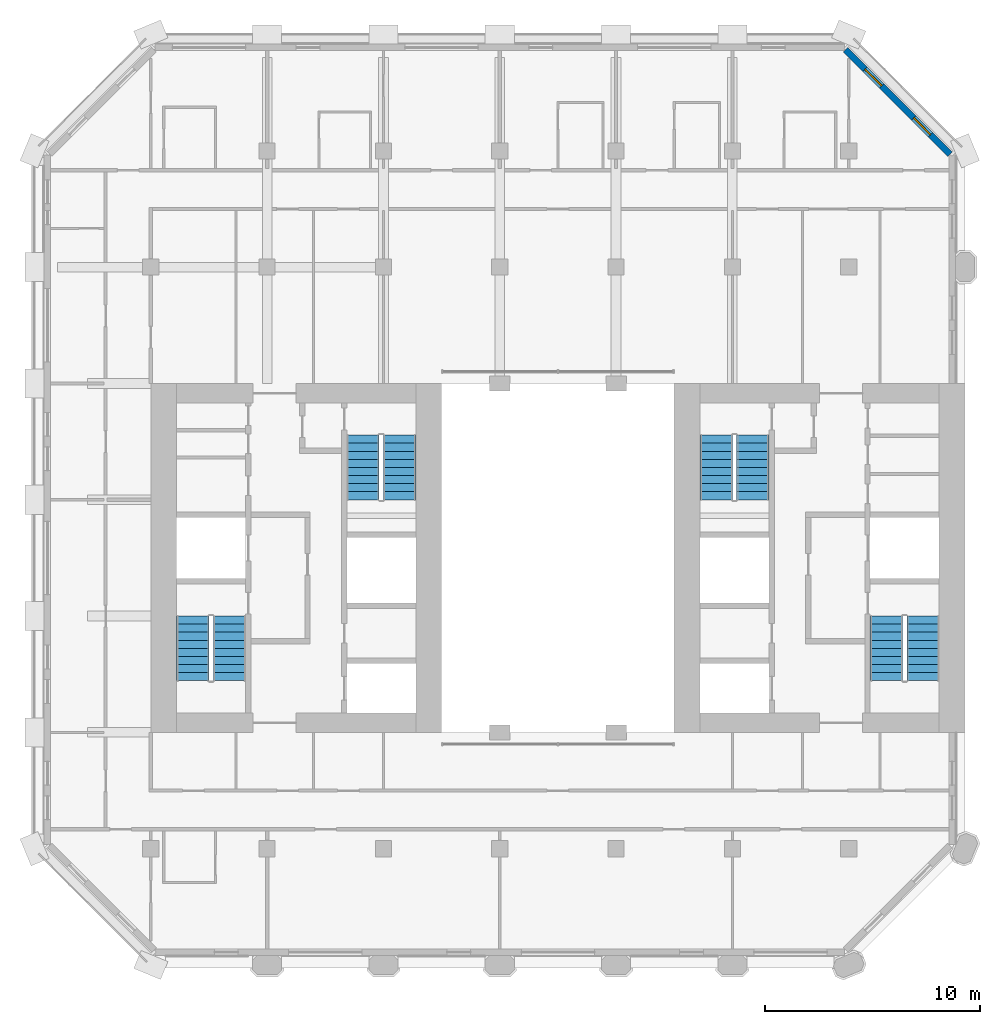
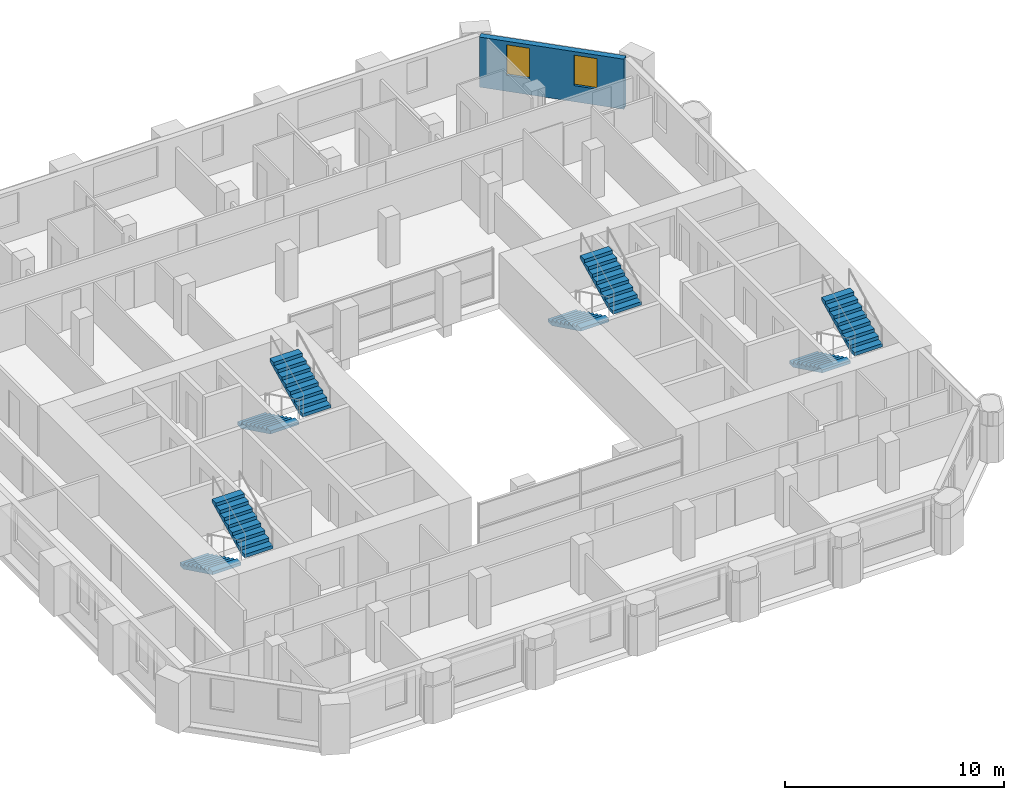
# One storey, part 11 of 14: 8 stair flights, 2 windows, 1 wall, 2 openings, 4 elements without a shape of their own.
"""IFC4 building model written with IfcOpenShell, lengths in metres."""

from ifc_helpers import new_model, si_unit, direction, frame, frame_2d, origin, place, context, subcontext, project, spatial, polyline, rectangle, outline, extrude, material, layer, layer_set, type_object, element, fill, aggregate, save


model = new_model("IFC4")

# Units and contexts
model_context = context("Model", 3, precision=1e-05, world=origin(), true_north=direction((0.0, 1.0)))
body_context = subcontext(model_context, "Body", "Model", "MODEL_VIEW")
ifc_project = project(units=[si_unit("LENGTHUNIT", "METRE"), si_unit("AREAUNIT", "SQUARE_METRE"), si_unit("VOLUMEUNIT", "CUBIC_METRE"), si_unit("PLANEANGLEUNIT", "RADIAN"), si_unit("MASSUNIT", "GRAM", prefix="KILO")], contexts=[model_context])

# Site, building, storey
site_placement = place(None, origin())
site = spatial("IfcSite", under=ifc_project, at=site_placement, CompositionType="ELEMENT")
building_placement = place(site_placement, origin())
building = spatial("IfcBuilding", under=site, at=building_placement, Name="Tabaq Tower and Sports Hall", CompositionType="ELEMENT")
storey_placement = place(building_placement, frame((0.0, 0.0, 230.199951171875)))
storey = spatial("IfcBuildingStorey", under=building, at=storey_placement, Name="L58", CompositionType="ELEMENT", Elevation=230.199951171875)

# Wall, openings, windows
ifc_material_1 = material(Name="White precast concrete C60/75", Category="concrete")
ifc_layer = layer(ifc_material_1, 0.300048828125)
ifc_layer_set = layer_set([ifc_layer], Name="White precast concrete C60/75 external wall 300")
wall_type = type_object("IfcWallType", Name="White precast concrete C60/75 external wall 300", PredefinedType="SOLIDWALL", material=ifc_layer_set)
wall_placement = place(storey_placement, frame((42.5009765625, 43.050537109375, 0.0), z_axis=(0.0, 0.0, 1.0), x_axis=(-0.707106781187, 0.707106781187, 0.0)))
wall = element("IfcWall", 1, at=wall_placement, inside=storey, type_object=wall_type, Name="External Wall L58 NE", PredefinedType="SOLIDWALL", context=body_context, shape_type="SweptSolid", body=[
    extrude(rectangle(XDim=6.85986328125, YDim=0.300048828125, at=frame_2d((3.429931640625, 0.0))), origin(), (0.0, 0.0, 1.0), 2.800048828125),
])
opening_1_placement = place(wall_placement, frame((1.27978515625, 0.0, 0.89990234375)))
opening_1 = element("IfcOpeningElement", 2, at=opening_1_placement, cuts=wall, Name="Opening W1B", PredefinedType="OPENING", context=body_context, shape_type="SweptSolid", body=[
    extrude(rectangle(XDim=1.10009765625, YDim=1.699951171875, at=frame_2d((0.550048828125, 0.85009765625))), frame((0.0, 0.16015625, 0.0), z_axis=(0.0, -1.0, 0.0), x_axis=(1.0, 0.0, 0.0)), (0.0, 0.0, 1.0), 0.320068359375),
])
opening_2_placement = place(wall_placement, frame((4.479736328125, 0.0, 0.89990234375)))
opening_2 = element("IfcOpeningElement", 3, at=opening_2_placement, cuts=wall, Name="Opening W1B", PredefinedType="OPENING", context=body_context, shape_type="SweptSolid", body=[
    extrude(rectangle(XDim=1.10009765625, YDim=1.699951171875, at=frame_2d((0.550048828125, 0.85009765625))), frame((0.0, 0.16015625, 0.0), z_axis=(0.0, -1.0, 0.0), x_axis=(1.0, 0.0, 0.0)), (0.0, 0.0, 1.0), 0.320068359375),
])
ifc_material_2 = material(Name="Aluminium framed clear glazing", Category="aluminium")
window_type = type_object("IfcWindowType", Name="Window W1B", PartitioningType="SINGLE_PANEL", PredefinedType="WINDOW", material=ifc_material_2)
window_1_placement = place(opening_1_placement, origin())
window_1 = element("IfcWindow", 4, at=window_1_placement, inside=storey, type_object=window_type, Name="Window W1B L58", OverallHeight=1.699951171875, OverallWidth=1.10009765625, PartitioningType="SINGLE_PANEL", PredefinedType="WINDOW", context=body_context, shape_type="SweptSolid", body=[
    extrude(rectangle(XDim=1.10009765625, YDim=1.699951171875, at=frame_2d((0.550048828125, 0.85009765625))), frame((0.0, 0.030029296875, 0.0), z_axis=(0.0, -1.0, 0.0), x_axis=(1.0, 0.0, 0.0)), (0.0, 0.0, 1.0), 0.06005859375),
])
fill(opening_1, window_1)
window_2_placement = place(opening_2_placement, origin())
window_2 = element("IfcWindow", 5, at=window_2_placement, inside=storey, type_object=window_type, Name="Window W1B L58", OverallHeight=1.699951171875, OverallWidth=1.10009765625, PartitioningType="SINGLE_PANEL", PredefinedType="WINDOW", context=body_context, shape_type="SweptSolid", body=[
    extrude(rectangle(XDim=1.10009765625, YDim=1.699951171875, at=frame_2d((0.550048828125, 0.85009765625))), frame((0.0, 0.030029296875, 0.0), z_axis=(0.0, -1.0, 0.0), x_axis=(1.0, 0.0, 0.0)), (0.0, 0.0, 1.0), 0.06005859375),
])
fill(opening_2, window_2)

# Stair, stair flights
ifc_material_3 = material(Name="Concrete C40/50", Category="concrete")
stair_type = type_object("IfcStairType", Name="Exit stair", PredefinedType="HALF_TURN_STAIR", material=ifc_material_3)
stair_1_placement = place(storey_placement, origin())
stair_1 = element("IfcStair", 6, at=stair_1_placement, inside=storey, type_object=stair_type, Name="L58 Exit stair ST1", PredefinedType="HALF_TURN_STAIR")
ifc_material_4 = material(Name="Concrete C40/50", Category="concrete")
stair_flight_type = type_object("IfcStairFlightType", Name="Exit stair flight", PredefinedType="STRAIGHT", material=ifc_material_4)
stair_flight_1_placement = place(storey_placement, frame((7.35009765625, 21.60009765625, 0.0), z_axis=(0.0, 0.0, 1.0), x_axis=(0.0, -1.0, 0.0)))
stair_flight_1 = element("IfcStairFlight", 7, at=stair_flight_1_placement, type_object=stair_flight_type, Name="ST1 flight 1", NumberOfRisers=9, NumberOfTreads=8, PredefinedType="STRAIGHT", RiserHeight=0.183333333, TreadLength=0.375, context=body_context, shape_type="SweptSolid", body=[
    extrude(outline(polyline([(0.0, 0.0), (0.0, 0.183349609375), (0.375, 0.183349609375), (0.375, 0.36669921875), (0.75, 0.36669921875), (0.75, 0.550048828125), (1.125, 0.550048828125), (1.125, 0.7333984375), (1.5, 0.7333984375), (1.5, 0.916748046875), (1.875, 0.916748046875), (1.875, 1.10009765625), (2.25, 1.10009765625), (2.25, 1.283447265625), (2.625, 1.283447265625), (2.625, 1.466552734375), (3.0, 1.466552734375), (3.0, 1.64990234375), (3.0, 1.2998046875), (0.34130859375, 0.0), (0.0, 0.0)])), frame((0.0, 0.75, 0.0), z_axis=(0.0, -1.0, 0.0), x_axis=(1.0, 0.0, 0.0)), (0.0, 0.0, 1.0), 1.5),
])
stair_flight_2_placement = place(storey_placement, frame((9.050048828125, 18.60009765625, 1.650146484375), z_axis=(0.0, 0.0, 1.0), x_axis=(0.0, 1.0, 0.0)))
stair_flight_2 = element("IfcStairFlight", 8, at=stair_flight_2_placement, type_object=stair_flight_type, Name="ST1 flight 2", NumberOfRisers=9, NumberOfTreads=8, PredefinedType="STRAIGHT", RiserHeight=0.183333333, TreadLength=0.375, context=body_context, shape_type="SweptSolid", body=[
    extrude(outline(polyline([(0.0, 0.0), (0.0, 0.183349609375), (0.375, 0.183349609375), (0.375, 0.36669921875), (0.75, 0.36669921875), (0.75, 0.550048828125), (1.125, 0.550048828125), (1.125, 0.7333984375), (1.5, 0.7333984375), (1.5, 0.916748046875), (1.875, 0.916748046875), (1.875, 1.10009765625), (2.25, 1.10009765625), (2.25, 1.283447265625), (2.625, 1.283447265625), (2.625, 1.466552734375), (3.0, 1.466552734375), (3.0, 1.64990234375), (3.0, 1.2998046875), (0.34130859375, 0.0), (0.0, 0.0)])), frame((0.0, 0.75, 0.0), z_axis=(0.0, -1.0, 0.0), x_axis=(1.0, 0.0, 0.0)), (0.0, 0.0, 1.0), 1.5),
])
aggregate(stair_1, [stair_flight_1, stair_flight_2])

stair_2_placement = place(storey_placement, origin())
stair_2 = element("IfcStair", 9, at=stair_2_placement, inside=storey, type_object=stair_type, Name="L58 Exit stair ST2", PredefinedType="HALF_TURN_STAIR")
stair_flight_3_placement = place(storey_placement, frame((15.25, 30.0, 0.0), z_axis=(0.0, 0.0, 1.0), x_axis=(0.0, -1.0, 0.0)))
stair_flight_3 = element("IfcStairFlight", 10, at=stair_flight_3_placement, type_object=stair_flight_type, Name="ST2 flight 1", NumberOfRisers=9, NumberOfTreads=8, PredefinedType="STRAIGHT", RiserHeight=0.183333333, TreadLength=0.375, context=body_context, shape_type="SweptSolid", body=[
    extrude(outline(polyline([(0.0, 0.0), (0.0, 0.183349609375), (0.375, 0.183349609375), (0.375, 0.36669921875), (0.75, 0.36669921875), (0.75, 0.550048828125), (1.125, 0.550048828125), (1.125, 0.7333984375), (1.5, 0.7333984375), (1.5, 0.916748046875), (1.875, 0.916748046875), (1.875, 1.10009765625), (2.25, 1.10009765625), (2.25, 1.283447265625), (2.625, 1.283447265625), (2.625, 1.466552734375), (3.0, 1.466552734375), (3.0, 1.64990234375), (3.0, 1.2998046875), (0.34130859375, 0.0), (0.0, 0.0)])), frame((0.0, 0.75, 0.0), z_axis=(0.0, -1.0, 0.0), x_axis=(1.0, 0.0, 0.0)), (0.0, 0.0, 1.0), 1.5),
])
stair_flight_4_placement = place(storey_placement, frame((16.949951171875, 27.0, 1.650146484375), z_axis=(0.0, 0.0, 1.0), x_axis=(0.0, 1.0, 0.0)))
stair_flight_4 = element("IfcStairFlight", 11, at=stair_flight_4_placement, type_object=stair_flight_type, Name="ST2 flight 2", NumberOfRisers=9, NumberOfTreads=8, PredefinedType="STRAIGHT", RiserHeight=0.183333333, TreadLength=0.375, context=body_context, shape_type="SweptSolid", body=[
    extrude(outline(polyline([(0.0, 0.0), (0.0, 0.183349609375), (0.375, 0.183349609375), (0.375, 0.36669921875), (0.75, 0.36669921875), (0.75, 0.550048828125), (1.125, 0.550048828125), (1.125, 0.7333984375), (1.5, 0.7333984375), (1.5, 0.916748046875), (1.875, 0.916748046875), (1.875, 1.10009765625), (2.25, 1.10009765625), (2.25, 1.283447265625), (2.625, 1.283447265625), (2.625, 1.466552734375), (3.0, 1.466552734375), (3.0, 1.64990234375), (3.0, 1.2998046875), (0.34130859375, 0.0), (0.0, 0.0)])), frame((0.0, 0.75, 0.0), z_axis=(0.0, -1.0, 0.0), x_axis=(1.0, 0.0, 0.0)), (0.0, 0.0, 1.0), 1.5),
])
aggregate(stair_2, [stair_flight_3, stair_flight_4])

stair_3_placement = place(storey_placement, origin())
stair_3 = element("IfcStair", 12, at=stair_3_placement, inside=storey, type_object=stair_type, Name="L58 Exit stair ST3", PredefinedType="HALF_TURN_STAIR")
stair_flight_5_placement = place(storey_placement, frame((39.550048828125, 21.60009765625, 0.0), z_axis=(0.0, 0.0, 1.0), x_axis=(0.0, -1.0, 0.0)))
stair_flight_5 = element("IfcStairFlight", 13, at=stair_flight_5_placement, type_object=stair_flight_type, Name="ST3 flight 1", NumberOfRisers=9, NumberOfTreads=8, PredefinedType="STRAIGHT", RiserHeight=0.183333333, TreadLength=0.375, context=body_context, shape_type="SweptSolid", body=[
    extrude(outline(polyline([(0.0, 0.0), (0.0, 0.183349609375), (0.375, 0.183349609375), (0.375, 0.36669921875), (0.75, 0.36669921875), (0.75, 0.550048828125), (1.125, 0.550048828125), (1.125, 0.7333984375), (1.5, 0.7333984375), (1.5, 0.916748046875), (1.875, 0.916748046875), (1.875, 1.10009765625), (2.25, 1.10009765625), (2.25, 1.283447265625), (2.625, 1.283447265625), (2.625, 1.466552734375), (3.0, 1.466552734375), (3.0, 1.64990234375), (3.0, 1.2998046875), (0.34130859375, 0.0), (0.0, 0.0)])), frame((0.0, 0.75, 0.0), z_axis=(0.0, -1.0, 0.0), x_axis=(1.0, 0.0, 0.0)), (0.0, 0.0, 1.0), 1.5),
])
stair_flight_6_placement = place(storey_placement, frame((41.25, 18.60009765625, 1.650146484375), z_axis=(0.0, 0.0, 1.0), x_axis=(0.0, 1.0, 0.0)))
stair_flight_6 = element("IfcStairFlight", 14, at=stair_flight_6_placement, type_object=stair_flight_type, Name="ST3 flight 2", NumberOfRisers=9, NumberOfTreads=8, PredefinedType="STRAIGHT", RiserHeight=0.183333333, TreadLength=0.375, context=body_context, shape_type="SweptSolid", body=[
    extrude(outline(polyline([(0.0, 0.0), (0.0, 0.183349609375), (0.375, 0.183349609375), (0.375, 0.36669921875), (0.75, 0.36669921875), (0.75, 0.550048828125), (1.125, 0.550048828125), (1.125, 0.7333984375), (1.5, 0.7333984375), (1.5, 0.916748046875), (1.875, 0.916748046875), (1.875, 1.10009765625), (2.25, 1.10009765625), (2.25, 1.283447265625), (2.625, 1.283447265625), (2.625, 1.466552734375), (3.0, 1.466552734375), (3.0, 1.64990234375), (3.0, 1.2998046875), (0.34130859375, 0.0), (0.0, 0.0)])), frame((0.0, 0.75, 0.0), z_axis=(0.0, -1.0, 0.0), x_axis=(1.0, 0.0, 0.0)), (0.0, 0.0, 1.0), 1.5),
])
aggregate(stair_3, [stair_flight_5, stair_flight_6])

stair_4_placement = place(storey_placement, origin())
stair_4 = element("IfcStair", 15, at=stair_4_placement, inside=storey, type_object=stair_type, Name="L58 Exit stair ST4", PredefinedType="HALF_TURN_STAIR")
stair_flight_7_placement = place(storey_placement, frame((31.64990234375, 30.0, 0.0), z_axis=(0.0, 0.0, 1.0), x_axis=(0.0, -1.0, 0.0)))
stair_flight_7 = element("IfcStairFlight", 16, at=stair_flight_7_placement, type_object=stair_flight_type, Name="ST4 flight 1", NumberOfRisers=9, NumberOfTreads=8, PredefinedType="STRAIGHT", RiserHeight=0.183333333, TreadLength=0.375, context=body_context, shape_type="SweptSolid", body=[
    extrude(outline(polyline([(0.0, 0.0), (0.0, 0.183349609375), (0.375, 0.183349609375), (0.375, 0.36669921875), (0.75, 0.36669921875), (0.75, 0.550048828125), (1.125, 0.550048828125), (1.125, 0.7333984375), (1.5, 0.7333984375), (1.5, 0.916748046875), (1.875, 0.916748046875), (1.875, 1.10009765625), (2.25, 1.10009765625), (2.25, 1.283447265625), (2.625, 1.283447265625), (2.625, 1.466552734375), (3.0, 1.466552734375), (3.0, 1.64990234375), (3.0, 1.2998046875), (0.34130859375, 0.0), (0.0, 0.0)])), frame((0.0, 0.75, 0.0), z_axis=(0.0, -1.0, 0.0), x_axis=(1.0, 0.0, 0.0)), (0.0, 0.0, 1.0), 1.5),
])
stair_flight_8_placement = place(storey_placement, frame((33.35009765625, 27.0, 1.650146484375), z_axis=(0.0, 0.0, 1.0), x_axis=(0.0, 1.0, 0.0)))
stair_flight_8 = element("IfcStairFlight", 17, at=stair_flight_8_placement, type_object=stair_flight_type, Name="ST4 flight 2", NumberOfRisers=9, NumberOfTreads=8, PredefinedType="STRAIGHT", RiserHeight=0.183333333, TreadLength=0.375, context=body_context, shape_type="SweptSolid", body=[
    extrude(outline(polyline([(0.0, 0.0), (0.0, 0.183349609375), (0.375, 0.183349609375), (0.375, 0.36669921875), (0.75, 0.36669921875), (0.75, 0.550048828125), (1.125, 0.550048828125), (1.125, 0.7333984375), (1.5, 0.7333984375), (1.5, 0.916748046875), (1.875, 0.916748046875), (1.875, 1.10009765625), (2.25, 1.10009765625), (2.25, 1.283447265625), (2.625, 1.283447265625), (2.625, 1.466552734375), (3.0, 1.466552734375), (3.0, 1.64990234375), (3.0, 1.2998046875), (0.34130859375, 0.0), (0.0, 0.0)])), frame((0.0, 0.75, 0.0), z_axis=(0.0, -1.0, 0.0), x_axis=(1.0, 0.0, 0.0)), (0.0, 0.0, 1.0), 1.5),
])
aggregate(stair_4, [stair_flight_7, stair_flight_8])

save(model, "model.ifc")
